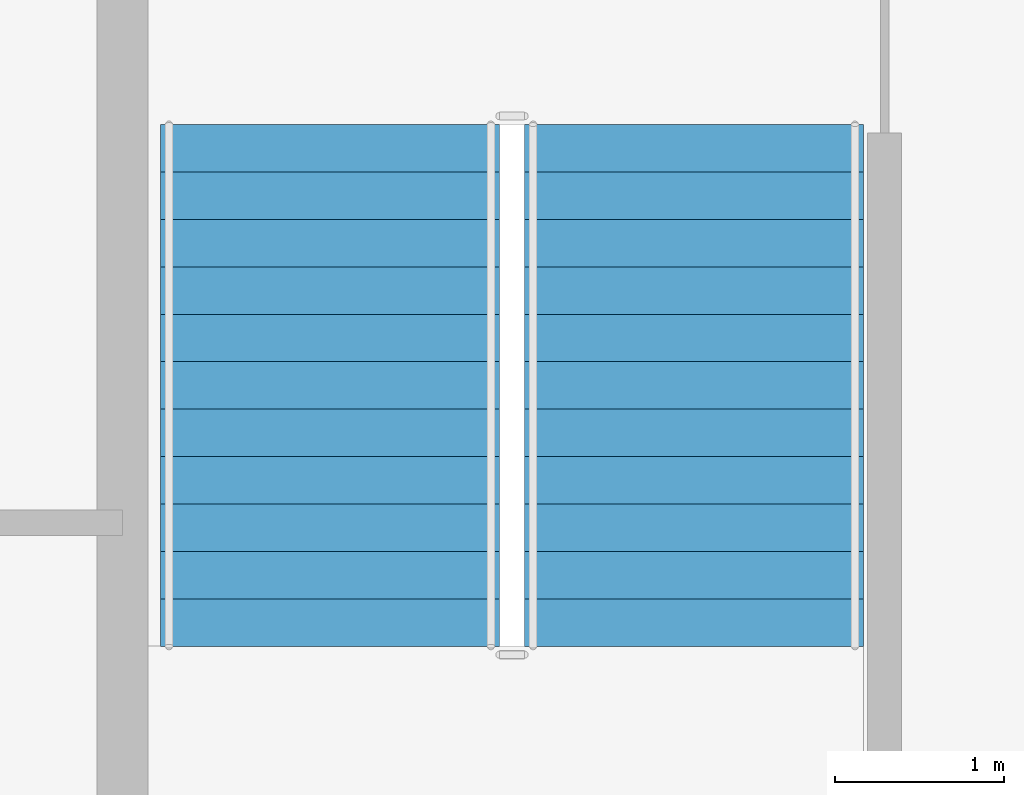
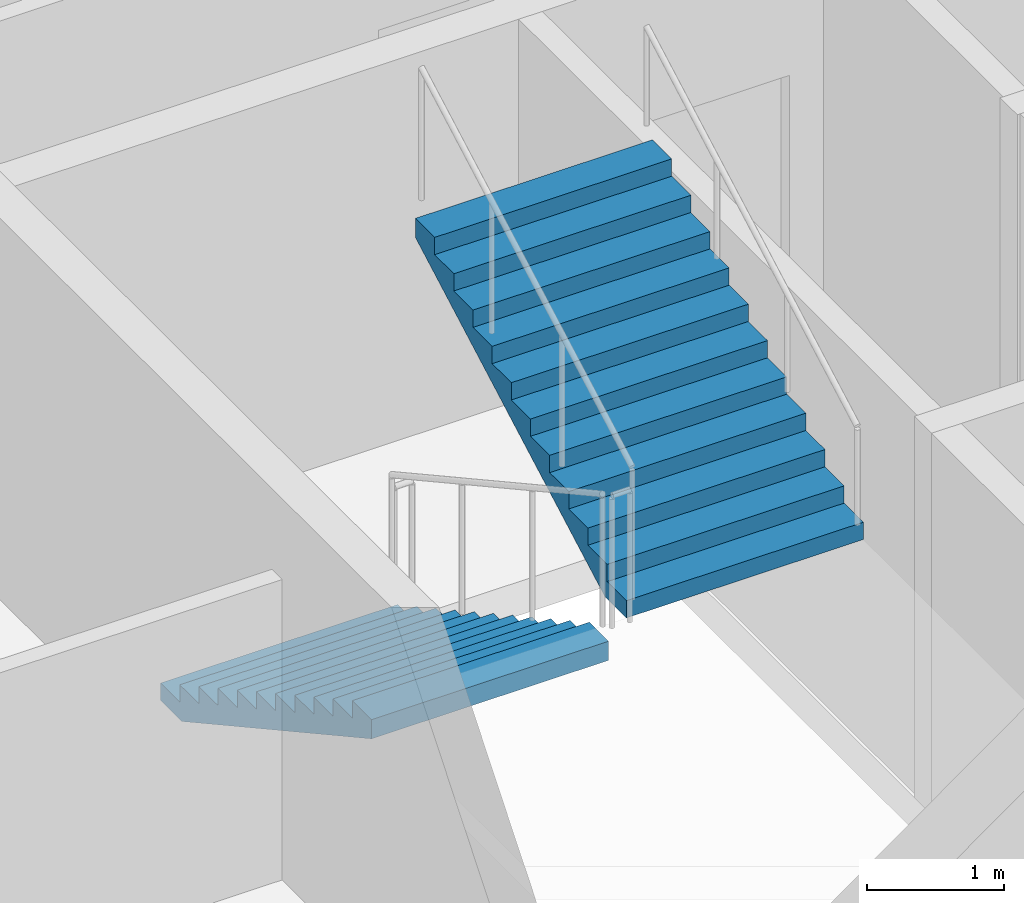
# One storey, part 7 of 11: 2 stair flights, 1 element without a shape of its own.
"""IFC4 building model written with IfcOpenShell, lengths in metres."""

from ifc_helpers import new_model, si_unit, direction, frame, origin, place, context, subcontext, project, spatial, polygons, material, type_object, element, aggregate, save


model = new_model("IFC4")

# Units and contexts
model_context = context("Model", 3, precision=1e-05, world=origin(), true_north=direction((0.0, 1.0)))
body_context = subcontext(model_context, "Body", "Model", "MODEL_VIEW")
ifc_project = project(units=[si_unit("LENGTHUNIT", "METRE"), si_unit("AREAUNIT", "SQUARE_METRE"), si_unit("VOLUMEUNIT", "CUBIC_METRE"), si_unit("PLANEANGLEUNIT", "RADIAN"), si_unit("MASSUNIT", "GRAM", prefix="KILO")], contexts=[model_context])

# Site, building, storey
site_placement = place(None, origin())
site = spatial("IfcSite", under=ifc_project, at=site_placement, CompositionType="ELEMENT")
building_placement = place(site_placement, origin())
building = spatial("IfcBuilding", under=site, at=building_placement, Name="Caravel Reach Hotel and Residences", CompositionType="ELEMENT")
storey_placement = place(building_placement, frame((0.0, 0.0, 271.199951171875)))
storey = spatial("IfcBuildingStorey", under=building, at=storey_placement, Name="L69", CompositionType="ELEMENT", Elevation=271.199951171875)

# Stair, stair flights
ifc_material_1 = material(Name="Concrete C40", Category="concrete")
stair_type = type_object("IfcStairType", Name="Core stair", PredefinedType="HALF_TURN_STAIR", material=ifc_material_1)
stair_placement = place(storey_placement, origin())
stair = element("IfcStair", 1, at=stair_placement, inside=storey, type_object=stair_type, Name="L69 Exit stair A", PredefinedType="HALF_TURN_STAIR")
ifc_material_2 = material(Name="Concrete C40", Category="concrete")
stair_flight_type = type_object("IfcStairFlightType", Name="Core stair flight", PredefinedType="STRAIGHT", material=ifc_material_2)
stair_flight_1_placement = place(storey_placement, frame((19.22509765625, 29.35009765625, 0.0), z_axis=(0.0, 0.0, 1.0), x_axis=(0.0, -1.0, 0.0)))
stair_flight_1 = element("IfcStairFlight", 2, at=stair_flight_1_placement, type_object=stair_flight_type, Name="ST-A flight 1", NumberOfRisers=12, NumberOfTreads=11, PredefinedType="STRAIGHT", RiserHeight=0.154166667, TreadLength=0.28, context=body_context, shape_type="Tessellation", body=[
    polygons([(0.3107950034306102, 1.0, 0.0), (0.3107950034306102, 0.6666666666666667, 0.0), (0.3107950034306102, 0.33333333333333337, 0.0), (0.3107950034306102, 0.0, 0.0), (0.3107950034306102, -0.33333333333333326, 0.0), (0.3107950034306102, -0.6666666666666667, 0.0), (0.3107950034306102, -1.0, 0.0), (3.081, 1.0, 1.524711087717319), (3.081, 0.6666666666666667, 1.524711087717319), (3.081, 0.33333333333333337, 1.524711087717319), (3.081, 0.0, 1.524711087717319), (3.081, -0.33333333333333326, 1.524711087717319), (3.081, -0.6666666666666667, 1.524711087717319), (3.081, -1.0, 1.524711087717319), (3.081, 1.0, 1.695833337), (3.081, 0.6666666666666667, 1.695833337), (3.081, 0.33333333333333337, 1.695833337), (3.081, 0.0, 1.695833337), (3.081, -0.33333333333333326, 1.695833337), (3.081, -0.6666666666666667, 1.695833337), (3.081, -1.0, 1.695833337), (2.8000000000000003, 1.0, 1.695833337), (2.8000000000000003, 0.6666666666666667, 1.695833337), (2.8000000000000003, 0.33333333333333337, 1.695833337), (2.8000000000000003, 0.0, 1.695833337), (2.8000000000000003, -0.33333333333333326, 1.695833337), (2.8000000000000003, -0.6666666666666667, 1.695833337), (2.8000000000000003, -1.0, 1.695833337), (2.8000000000000003, 1.0, 1.5416666700000001), (2.8000000000000003, 0.6666666666666667, 1.5416666700000001), (2.8000000000000003, 0.33333333333333337, 1.5416666700000001), (2.8000000000000003, 0.0, 1.5416666700000001), (2.8000000000000003, -0.33333333333333326, 1.5416666700000001), (2.8000000000000003, -0.6666666666666667, 1.5416666700000001), (2.8000000000000003, -1.0, 1.5416666700000001), (2.5200000000000005, 1.0, 1.5416666700000001), (2.5200000000000005, 0.6666666666666667, 1.5416666700000001), (2.5200000000000005, 0.33333333333333337, 1.5416666700000001), (2.5200000000000005, 0.0, 1.5416666700000001), (2.5200000000000005, -0.33333333333333326, 1.5416666700000001), (2.5200000000000005, -0.6666666666666667, 1.5416666700000001), (2.5200000000000005, -1.0, 1.5416666700000001), (2.5200000000000005, 1.0, 1.387500003), (2.5200000000000005, 0.6666666666666667, 1.387500003), (2.5200000000000005, 0.33333333333333337, 1.387500003), (2.5200000000000005, 0.0, 1.387500003), (2.5200000000000005, -0.33333333333333326, 1.387500003), (2.5200000000000005, -0.6666666666666667, 1.387500003), (2.5200000000000005, -1.0, 1.387500003), (2.24, 1.0, 1.387500003), (2.24, 0.6666666666666667, 1.387500003), (2.24, 0.33333333333333337, 1.387500003), (2.24, 0.0, 1.387500003), (2.24, -0.33333333333333326, 1.387500003), (2.24, -0.6666666666666667, 1.387500003), (2.24, -1.0, 1.387500003), (2.24, 1.0, 1.233333336), (2.24, 0.6666666666666667, 1.233333336), (2.24, 0.33333333333333337, 1.233333336), (2.24, 0.0, 1.233333336), (2.24, -0.33333333333333326, 1.233333336), (2.24, -0.6666666666666667, 1.233333336), (2.24, -1.0, 1.233333336), (1.9600000000000002, 1.0, 1.233333336), (1.9600000000000002, 0.6666666666666667, 1.233333336), (1.9600000000000002, 0.33333333333333337, 1.233333336), (1.9600000000000002, 0.0, 1.233333336), (1.9600000000000002, -0.33333333333333326, 1.233333336), (1.9600000000000002, -0.6666666666666667, 1.233333336), (1.9600000000000002, -1.0, 1.233333336), (1.9600000000000002, 1.0, 1.0791666690000001), (1.9600000000000002, 0.6666666666666667, 1.0791666690000001), (1.9600000000000002, 0.33333333333333337, 1.0791666690000001), (1.9600000000000002, 0.0, 1.0791666690000001), (1.9600000000000002, -0.33333333333333326, 1.0791666690000001), (1.9600000000000002, -0.6666666666666667, 1.0791666690000001), (1.9600000000000002, -1.0, 1.0791666690000001), (1.6800000000000002, 1.0, 1.0791666690000001), (1.6800000000000002, 0.6666666666666667, 1.0791666690000001), (1.6800000000000002, 0.33333333333333337, 1.0791666690000001), (1.6800000000000002, 0.0, 1.0791666690000001), (1.6800000000000002, -0.33333333333333326, 1.0791666690000001), (1.6800000000000002, -0.6666666666666667, 1.0791666690000001), (1.6800000000000002, -1.0, 1.0791666690000001), (1.6800000000000002, 1.0, 0.925000002), (1.6800000000000002, 0.6666666666666667, 0.925000002), (1.6800000000000002, 0.33333333333333337, 0.925000002), (1.6800000000000002, 0.0, 0.925000002), (1.6800000000000002, -0.33333333333333326, 0.925000002), (1.6800000000000002, -0.6666666666666667, 0.925000002), (1.6800000000000002, -1.0, 0.925000002), (1.4000000000000001, 1.0, 0.925000002), (1.4000000000000001, 0.6666666666666667, 0.925000002), (1.4000000000000001, 0.33333333333333337, 0.925000002), (1.4000000000000001, 0.0, 0.925000002), (1.4000000000000001, -0.33333333333333326, 0.925000002), (1.4000000000000001, -0.6666666666666667, 0.925000002), (1.4000000000000001, -1.0, 0.925000002), (1.4000000000000001, 1.0, 0.7708333350000001), (1.4000000000000001, 0.6666666666666667, 0.7708333350000001), (1.4000000000000001, 0.33333333333333337, 0.7708333350000001), (1.4000000000000001, 0.0, 0.7708333350000001), (1.4000000000000001, -0.33333333333333326, 0.7708333350000001), (1.4000000000000001, -0.6666666666666667, 0.7708333350000001), (1.4000000000000001, -1.0, 0.7708333350000001), (1.12, 1.0, 0.7708333350000001), (1.12, 0.6666666666666667, 0.7708333350000001), (1.12, 0.33333333333333337, 0.7708333350000001), (1.12, 0.0, 0.7708333350000001), (1.12, -0.33333333333333326, 0.7708333350000001), (1.12, -0.6666666666666667, 0.7708333350000001), (1.12, -1.0, 0.7708333350000001), (1.12, 1.0, 0.616666668), (1.12, 0.6666666666666667, 0.616666668), (1.12, 0.33333333333333337, 0.616666668), (1.12, 0.0, 0.616666668), (1.12, -0.33333333333333326, 0.616666668), (1.12, -0.6666666666666667, 0.616666668), (1.12, -1.0, 0.616666668), (0.8400000000000001, 1.0, 0.616666668), (0.8400000000000001, 0.6666666666666667, 0.616666668), (0.8400000000000001, 0.33333333333333337, 0.616666668), (0.8400000000000001, 0.0, 0.616666668), (0.8400000000000001, -0.33333333333333326, 0.616666668), (0.8400000000000001, -0.6666666666666667, 0.616666668), (0.8400000000000001, -1.0, 0.616666668), (0.8400000000000001, 1.0, 0.462500001), (0.8400000000000001, 0.6666666666666667, 0.462500001), (0.8400000000000001, 0.33333333333333337, 0.462500001), (0.8400000000000001, 0.0, 0.462500001), (0.8400000000000001, -0.33333333333333326, 0.462500001), (0.8400000000000001, -0.6666666666666667, 0.462500001), (0.8400000000000001, -1.0, 0.462500001), (0.56, 1.0, 0.462500001), (0.56, 0.6666666666666667, 0.462500001), (0.56, 0.33333333333333337, 0.462500001), (0.56, 0.0, 0.462500001), (0.56, -0.33333333333333326, 0.462500001), (0.56, -0.6666666666666667, 0.462500001), (0.56, -1.0, 0.462500001), (0.56, 1.0, 0.308333334), (0.56, 0.6666666666666667, 0.308333334), (0.56, 0.33333333333333337, 0.308333334), (0.56, 0.0, 0.308333334), (0.56, -0.33333333333333326, 0.308333334), (0.56, -0.6666666666666667, 0.308333334), (0.56, -1.0, 0.308333334), (0.28, 1.0, 0.308333334), (0.28, 0.6666666666666667, 0.308333334), (0.28, 0.33333333333333337, 0.308333334), (0.28, 0.0, 0.308333334), (0.28, -0.33333333333333326, 0.308333334), (0.28, -0.6666666666666667, 0.308333334), (0.28, -1.0, 0.308333334), (0.28, 1.0, 0.154166667), (0.28, 0.6666666666666667, 0.154166667), (0.28, 0.33333333333333337, 0.154166667), (0.28, 0.0, 0.154166667), (0.28, -0.33333333333333326, 0.154166667), (0.28, -0.6666666666666667, 0.154166667), (0.28, -1.0, 0.154166667), (-0.001, 1.0, 0.154166667), (-0.001, 0.6666666666666667, 0.154166667), (-0.001, 0.33333333333333337, 0.154166667), (-0.001, 0.0, 0.154166667), (-0.001, -0.33333333333333326, 0.154166667), (-0.001, -0.6666666666666667, 0.154166667), (-0.001, -1.0, 0.154166667), (-0.001, 1.0, 0.0), (-0.001, 0.6666666666666667, 0.0), (-0.001, 0.33333333333333337, 0.0), (-0.001, 0.0, 0.0), (-0.001, -0.33333333333333326, 0.0), (-0.001, -0.6666666666666667, 0.0), (-0.001, -1.0, 0.0)], [[[169, 162, 155, 148, 141, 134, 127, 120, 113, 106, 99, 92, 85, 78, 71, 64, 57, 50, 43, 36, 29, 22, 15, 8, 1]], [[7, 14, 21, 28, 35, 42, 49, 56, 63, 70, 77, 84, 91, 98, 105, 112, 119, 126, 133, 140, 147, 154, 161, 168, 175]], [[1, 8, 9, 2]], [[2, 9, 10, 3]], [[3, 10, 11, 4]], [[4, 11, 12, 5]], [[5, 12, 13, 6]], [[6, 13, 14, 7]], [[8, 15, 16, 9]], [[9, 16, 17, 10]], [[10, 17, 18, 11]], [[11, 18, 19, 12]], [[12, 19, 20, 13]], [[13, 20, 21, 14]], [[15, 22, 23, 16]], [[16, 23, 24, 17]], [[17, 24, 25, 18]], [[18, 25, 26, 19]], [[19, 26, 27, 20]], [[20, 27, 28, 21]], [[22, 29, 30, 23]], [[23, 30, 31, 24]], [[24, 31, 32, 25]], [[25, 32, 33, 26]], [[26, 33, 34, 27]], [[27, 34, 35, 28]], [[29, 36, 37, 30]], [[30, 37, 38, 31]], [[31, 38, 39, 32]], [[32, 39, 40, 33]], [[33, 40, 41, 34]], [[34, 41, 42, 35]], [[36, 43, 44, 37]], [[37, 44, 45, 38]], [[38, 45, 46, 39]], [[39, 46, 47, 40]], [[40, 47, 48, 41]], [[41, 48, 49, 42]], [[43, 50, 51, 44]], [[44, 51, 52, 45]], [[45, 52, 53, 46]], [[46, 53, 54, 47]], [[47, 54, 55, 48]], [[48, 55, 56, 49]], [[50, 57, 58, 51]], [[51, 58, 59, 52]], [[52, 59, 60, 53]], [[53, 60, 61, 54]], [[54, 61, 62, 55]], [[55, 62, 63, 56]], [[57, 64, 65, 58]], [[58, 65, 66, 59]], [[59, 66, 67, 60]], [[60, 67, 68, 61]], [[61, 68, 69, 62]], [[62, 69, 70, 63]], [[64, 71, 72, 65]], [[65, 72, 73, 66]], [[66, 73, 74, 67]], [[67, 74, 75, 68]], [[68, 75, 76, 69]], [[69, 76, 77, 70]], [[71, 78, 79, 72]], [[72, 79, 80, 73]], [[73, 80, 81, 74]], [[74, 81, 82, 75]], [[75, 82, 83, 76]], [[76, 83, 84, 77]], [[78, 85, 86, 79]], [[79, 86, 87, 80]], [[80, 87, 88, 81]], [[81, 88, 89, 82]], [[82, 89, 90, 83]], [[83, 90, 91, 84]], [[85, 92, 93, 86]], [[86, 93, 94, 87]], [[87, 94, 95, 88]], [[88, 95, 96, 89]], [[89, 96, 97, 90]], [[90, 97, 98, 91]], [[92, 99, 100, 93]], [[93, 100, 101, 94]], [[94, 101, 102, 95]], [[95, 102, 103, 96]], [[96, 103, 104, 97]], [[97, 104, 105, 98]], [[99, 106, 107, 100]], [[100, 107, 108, 101]], [[101, 108, 109, 102]], [[102, 109, 110, 103]], [[103, 110, 111, 104]], [[104, 111, 112, 105]], [[106, 113, 114, 107]], [[107, 114, 115, 108]], [[108, 115, 116, 109]], [[109, 116, 117, 110]], [[110, 117, 118, 111]], [[111, 118, 119, 112]], [[113, 120, 121, 114]], [[114, 121, 122, 115]], [[115, 122, 123, 116]], [[116, 123, 124, 117]], [[117, 124, 125, 118]], [[118, 125, 126, 119]], [[120, 127, 128, 121]], [[121, 128, 129, 122]], [[122, 129, 130, 123]], [[123, 130, 131, 124]], [[124, 131, 132, 125]], [[125, 132, 133, 126]], [[127, 134, 135, 128]], [[128, 135, 136, 129]], [[129, 136, 137, 130]], [[130, 137, 138, 131]], [[131, 138, 139, 132]], [[132, 139, 140, 133]], [[134, 141, 142, 135]], [[135, 142, 143, 136]], [[136, 143, 144, 137]], [[137, 144, 145, 138]], [[138, 145, 146, 139]], [[139, 146, 147, 140]], [[141, 148, 149, 142]], [[142, 149, 150, 143]], [[143, 150, 151, 144]], [[144, 151, 152, 145]], [[145, 152, 153, 146]], [[146, 153, 154, 147]], [[148, 155, 156, 149]], [[149, 156, 157, 150]], [[150, 157, 158, 151]], [[151, 158, 159, 152]], [[152, 159, 160, 153]], [[153, 160, 161, 154]], [[155, 162, 163, 156]], [[156, 163, 164, 157]], [[157, 164, 165, 158]], [[158, 165, 166, 159]], [[159, 166, 167, 160]], [[160, 167, 168, 161]], [[162, 169, 170, 163]], [[163, 170, 171, 164]], [[164, 171, 172, 165]], [[165, 172, 173, 166]], [[166, 173, 174, 167]], [[167, 174, 175, 168]], [[169, 1, 2, 170]], [[170, 2, 3, 171]], [[171, 3, 4, 172]], [[172, 4, 5, 173]], [[173, 5, 6, 174]], [[174, 6, 7, 175]]], closed=True),
])
stair_flight_2_placement = place(storey_placement, frame((21.375, 26.27001953125, 1.85009765625), z_axis=(0.0, 0.0, 1.0), x_axis=(0.0, 1.0, 0.0)))
stair_flight_2 = element("IfcStairFlight", 3, at=stair_flight_2_placement, type_object=stair_flight_type, Name="ST-A flight 2", NumberOfRisers=12, NumberOfTreads=11, PredefinedType="STRAIGHT", RiserHeight=0.154166667, TreadLength=0.28, context=body_context, shape_type="Tessellation", body=[
    polygons([(0.3107950034306102, 1.0, 0.0), (0.3107950034306102, 0.6666666666666667, 0.0), (0.3107950034306102, 0.33333333333333337, 0.0), (0.3107950034306102, 0.0, 0.0), (0.3107950034306102, -0.33333333333333326, 0.0), (0.3107950034306102, -0.6666666666666667, 0.0), (0.3107950034306102, -1.0, 0.0), (3.081, 1.0, 1.524711087717319), (3.081, 0.6666666666666667, 1.524711087717319), (3.081, 0.33333333333333337, 1.524711087717319), (3.081, 0.0, 1.524711087717319), (3.081, -0.33333333333333326, 1.524711087717319), (3.081, -0.6666666666666667, 1.524711087717319), (3.081, -1.0, 1.524711087717319), (3.081, 1.0, 1.695833337), (3.081, 0.6666666666666667, 1.695833337), (3.081, 0.33333333333333337, 1.695833337), (3.081, 0.0, 1.695833337), (3.081, -0.33333333333333326, 1.695833337), (3.081, -0.6666666666666667, 1.695833337), (3.081, -1.0, 1.695833337), (2.8000000000000003, 1.0, 1.695833337), (2.8000000000000003, 0.6666666666666667, 1.695833337), (2.8000000000000003, 0.33333333333333337, 1.695833337), (2.8000000000000003, 0.0, 1.695833337), (2.8000000000000003, -0.33333333333333326, 1.695833337), (2.8000000000000003, -0.6666666666666667, 1.695833337), (2.8000000000000003, -1.0, 1.695833337), (2.8000000000000003, 1.0, 1.5416666700000001), (2.8000000000000003, 0.6666666666666667, 1.5416666700000001), (2.8000000000000003, 0.33333333333333337, 1.5416666700000001), (2.8000000000000003, 0.0, 1.5416666700000001), (2.8000000000000003, -0.33333333333333326, 1.5416666700000001), (2.8000000000000003, -0.6666666666666667, 1.5416666700000001), (2.8000000000000003, -1.0, 1.5416666700000001), (2.5200000000000005, 1.0, 1.5416666700000001), (2.5200000000000005, 0.6666666666666667, 1.5416666700000001), (2.5200000000000005, 0.33333333333333337, 1.5416666700000001), (2.5200000000000005, 0.0, 1.5416666700000001), (2.5200000000000005, -0.33333333333333326, 1.5416666700000001), (2.5200000000000005, -0.6666666666666667, 1.5416666700000001), (2.5200000000000005, -1.0, 1.5416666700000001), (2.5200000000000005, 1.0, 1.387500003), (2.5200000000000005, 0.6666666666666667, 1.387500003), (2.5200000000000005, 0.33333333333333337, 1.387500003), (2.5200000000000005, 0.0, 1.387500003), (2.5200000000000005, -0.33333333333333326, 1.387500003), (2.5200000000000005, -0.6666666666666667, 1.387500003), (2.5200000000000005, -1.0, 1.387500003), (2.24, 1.0, 1.387500003), (2.24, 0.6666666666666667, 1.387500003), (2.24, 0.33333333333333337, 1.387500003), (2.24, 0.0, 1.387500003), (2.24, -0.33333333333333326, 1.387500003), (2.24, -0.6666666666666667, 1.387500003), (2.24, -1.0, 1.387500003), (2.24, 1.0, 1.233333336), (2.24, 0.6666666666666667, 1.233333336), (2.24, 0.33333333333333337, 1.233333336), (2.24, 0.0, 1.233333336), (2.24, -0.33333333333333326, 1.233333336), (2.24, -0.6666666666666667, 1.233333336), (2.24, -1.0, 1.233333336), (1.9600000000000002, 1.0, 1.233333336), (1.9600000000000002, 0.6666666666666667, 1.233333336), (1.9600000000000002, 0.33333333333333337, 1.233333336), (1.9600000000000002, 0.0, 1.233333336), (1.9600000000000002, -0.33333333333333326, 1.233333336), (1.9600000000000002, -0.6666666666666667, 1.233333336), (1.9600000000000002, -1.0, 1.233333336), (1.9600000000000002, 1.0, 1.0791666690000001), (1.9600000000000002, 0.6666666666666667, 1.0791666690000001), (1.9600000000000002, 0.33333333333333337, 1.0791666690000001), (1.9600000000000002, 0.0, 1.0791666690000001), (1.9600000000000002, -0.33333333333333326, 1.0791666690000001), (1.9600000000000002, -0.6666666666666667, 1.0791666690000001), (1.9600000000000002, -1.0, 1.0791666690000001), (1.6800000000000002, 1.0, 1.0791666690000001), (1.6800000000000002, 0.6666666666666667, 1.0791666690000001), (1.6800000000000002, 0.33333333333333337, 1.0791666690000001), (1.6800000000000002, 0.0, 1.0791666690000001), (1.6800000000000002, -0.33333333333333326, 1.0791666690000001), (1.6800000000000002, -0.6666666666666667, 1.0791666690000001), (1.6800000000000002, -1.0, 1.0791666690000001), (1.6800000000000002, 1.0, 0.925000002), (1.6800000000000002, 0.6666666666666667, 0.925000002), (1.6800000000000002, 0.33333333333333337, 0.925000002), (1.6800000000000002, 0.0, 0.925000002), (1.6800000000000002, -0.33333333333333326, 0.925000002), (1.6800000000000002, -0.6666666666666667, 0.925000002), (1.6800000000000002, -1.0, 0.925000002), (1.4000000000000001, 1.0, 0.925000002), (1.4000000000000001, 0.6666666666666667, 0.925000002), (1.4000000000000001, 0.33333333333333337, 0.925000002), (1.4000000000000001, 0.0, 0.925000002), (1.4000000000000001, -0.33333333333333326, 0.925000002), (1.4000000000000001, -0.6666666666666667, 0.925000002), (1.4000000000000001, -1.0, 0.925000002), (1.4000000000000001, 1.0, 0.7708333350000001), (1.4000000000000001, 0.6666666666666667, 0.7708333350000001), (1.4000000000000001, 0.33333333333333337, 0.7708333350000001), (1.4000000000000001, 0.0, 0.7708333350000001), (1.4000000000000001, -0.33333333333333326, 0.7708333350000001), (1.4000000000000001, -0.6666666666666667, 0.7708333350000001), (1.4000000000000001, -1.0, 0.7708333350000001), (1.12, 1.0, 0.7708333350000001), (1.12, 0.6666666666666667, 0.7708333350000001), (1.12, 0.33333333333333337, 0.7708333350000001), (1.12, 0.0, 0.7708333350000001), (1.12, -0.33333333333333326, 0.7708333350000001), (1.12, -0.6666666666666667, 0.7708333350000001), (1.12, -1.0, 0.7708333350000001), (1.12, 1.0, 0.616666668), (1.12, 0.6666666666666667, 0.616666668), (1.12, 0.33333333333333337, 0.616666668), (1.12, 0.0, 0.616666668), (1.12, -0.33333333333333326, 0.616666668), (1.12, -0.6666666666666667, 0.616666668), (1.12, -1.0, 0.616666668), (0.8400000000000001, 1.0, 0.616666668), (0.8400000000000001, 0.6666666666666667, 0.616666668), (0.8400000000000001, 0.33333333333333337, 0.616666668), (0.8400000000000001, 0.0, 0.616666668), (0.8400000000000001, -0.33333333333333326, 0.616666668), (0.8400000000000001, -0.6666666666666667, 0.616666668), (0.8400000000000001, -1.0, 0.616666668), (0.8400000000000001, 1.0, 0.462500001), (0.8400000000000001, 0.6666666666666667, 0.462500001), (0.8400000000000001, 0.33333333333333337, 0.462500001), (0.8400000000000001, 0.0, 0.462500001), (0.8400000000000001, -0.33333333333333326, 0.462500001), (0.8400000000000001, -0.6666666666666667, 0.462500001), (0.8400000000000001, -1.0, 0.462500001), (0.56, 1.0, 0.462500001), (0.56, 0.6666666666666667, 0.462500001), (0.56, 0.33333333333333337, 0.462500001), (0.56, 0.0, 0.462500001), (0.56, -0.33333333333333326, 0.462500001), (0.56, -0.6666666666666667, 0.462500001), (0.56, -1.0, 0.462500001), (0.56, 1.0, 0.308333334), (0.56, 0.6666666666666667, 0.308333334), (0.56, 0.33333333333333337, 0.308333334), (0.56, 0.0, 0.308333334), (0.56, -0.33333333333333326, 0.308333334), (0.56, -0.6666666666666667, 0.308333334), (0.56, -1.0, 0.308333334), (0.28, 1.0, 0.308333334), (0.28, 0.6666666666666667, 0.308333334), (0.28, 0.33333333333333337, 0.308333334), (0.28, 0.0, 0.308333334), (0.28, -0.33333333333333326, 0.308333334), (0.28, -0.6666666666666667, 0.308333334), (0.28, -1.0, 0.308333334), (0.28, 1.0, 0.154166667), (0.28, 0.6666666666666667, 0.154166667), (0.28, 0.33333333333333337, 0.154166667), (0.28, 0.0, 0.154166667), (0.28, -0.33333333333333326, 0.154166667), (0.28, -0.6666666666666667, 0.154166667), (0.28, -1.0, 0.154166667), (-0.001, 1.0, 0.154166667), (-0.001, 0.6666666666666667, 0.154166667), (-0.001, 0.33333333333333337, 0.154166667), (-0.001, 0.0, 0.154166667), (-0.001, -0.33333333333333326, 0.154166667), (-0.001, -0.6666666666666667, 0.154166667), (-0.001, -1.0, 0.154166667), (-0.001, 1.0, 0.0), (-0.001, 0.6666666666666667, 0.0), (-0.001, 0.33333333333333337, 0.0), (-0.001, 0.0, 0.0), (-0.001, -0.33333333333333326, 0.0), (-0.001, -0.6666666666666667, 0.0), (-0.001, -1.0, 0.0)], [[[169, 162, 155, 148, 141, 134, 127, 120, 113, 106, 99, 92, 85, 78, 71, 64, 57, 50, 43, 36, 29, 22, 15, 8, 1]], [[7, 14, 21, 28, 35, 42, 49, 56, 63, 70, 77, 84, 91, 98, 105, 112, 119, 126, 133, 140, 147, 154, 161, 168, 175]], [[1, 8, 9, 2]], [[2, 9, 10, 3]], [[3, 10, 11, 4]], [[4, 11, 12, 5]], [[5, 12, 13, 6]], [[6, 13, 14, 7]], [[8, 15, 16, 9]], [[9, 16, 17, 10]], [[10, 17, 18, 11]], [[11, 18, 19, 12]], [[12, 19, 20, 13]], [[13, 20, 21, 14]], [[15, 22, 23, 16]], [[16, 23, 24, 17]], [[17, 24, 25, 18]], [[18, 25, 26, 19]], [[19, 26, 27, 20]], [[20, 27, 28, 21]], [[22, 29, 30, 23]], [[23, 30, 31, 24]], [[24, 31, 32, 25]], [[25, 32, 33, 26]], [[26, 33, 34, 27]], [[27, 34, 35, 28]], [[29, 36, 37, 30]], [[30, 37, 38, 31]], [[31, 38, 39, 32]], [[32, 39, 40, 33]], [[33, 40, 41, 34]], [[34, 41, 42, 35]], [[36, 43, 44, 37]], [[37, 44, 45, 38]], [[38, 45, 46, 39]], [[39, 46, 47, 40]], [[40, 47, 48, 41]], [[41, 48, 49, 42]], [[43, 50, 51, 44]], [[44, 51, 52, 45]], [[45, 52, 53, 46]], [[46, 53, 54, 47]], [[47, 54, 55, 48]], [[48, 55, 56, 49]], [[50, 57, 58, 51]], [[51, 58, 59, 52]], [[52, 59, 60, 53]], [[53, 60, 61, 54]], [[54, 61, 62, 55]], [[55, 62, 63, 56]], [[57, 64, 65, 58]], [[58, 65, 66, 59]], [[59, 66, 67, 60]], [[60, 67, 68, 61]], [[61, 68, 69, 62]], [[62, 69, 70, 63]], [[64, 71, 72, 65]], [[65, 72, 73, 66]], [[66, 73, 74, 67]], [[67, 74, 75, 68]], [[68, 75, 76, 69]], [[69, 76, 77, 70]], [[71, 78, 79, 72]], [[72, 79, 80, 73]], [[73, 80, 81, 74]], [[74, 81, 82, 75]], [[75, 82, 83, 76]], [[76, 83, 84, 77]], [[78, 85, 86, 79]], [[79, 86, 87, 80]], [[80, 87, 88, 81]], [[81, 88, 89, 82]], [[82, 89, 90, 83]], [[83, 90, 91, 84]], [[85, 92, 93, 86]], [[86, 93, 94, 87]], [[87, 94, 95, 88]], [[88, 95, 96, 89]], [[89, 96, 97, 90]], [[90, 97, 98, 91]], [[92, 99, 100, 93]], [[93, 100, 101, 94]], [[94, 101, 102, 95]], [[95, 102, 103, 96]], [[96, 103, 104, 97]], [[97, 104, 105, 98]], [[99, 106, 107, 100]], [[100, 107, 108, 101]], [[101, 108, 109, 102]], [[102, 109, 110, 103]], [[103, 110, 111, 104]], [[104, 111, 112, 105]], [[106, 113, 114, 107]], [[107, 114, 115, 108]], [[108, 115, 116, 109]], [[109, 116, 117, 110]], [[110, 117, 118, 111]], [[111, 118, 119, 112]], [[113, 120, 121, 114]], [[114, 121, 122, 115]], [[115, 122, 123, 116]], [[116, 123, 124, 117]], [[117, 124, 125, 118]], [[118, 125, 126, 119]], [[120, 127, 128, 121]], [[121, 128, 129, 122]], [[122, 129, 130, 123]], [[123, 130, 131, 124]], [[124, 131, 132, 125]], [[125, 132, 133, 126]], [[127, 134, 135, 128]], [[128, 135, 136, 129]], [[129, 136, 137, 130]], [[130, 137, 138, 131]], [[131, 138, 139, 132]], [[132, 139, 140, 133]], [[134, 141, 142, 135]], [[135, 142, 143, 136]], [[136, 143, 144, 137]], [[137, 144, 145, 138]], [[138, 145, 146, 139]], [[139, 146, 147, 140]], [[141, 148, 149, 142]], [[142, 149, 150, 143]], [[143, 150, 151, 144]], [[144, 151, 152, 145]], [[145, 152, 153, 146]], [[146, 153, 154, 147]], [[148, 155, 156, 149]], [[149, 156, 157, 150]], [[150, 157, 158, 151]], [[151, 158, 159, 152]], [[152, 159, 160, 153]], [[153, 160, 161, 154]], [[155, 162, 163, 156]], [[156, 163, 164, 157]], [[157, 164, 165, 158]], [[158, 165, 166, 159]], [[159, 166, 167, 160]], [[160, 167, 168, 161]], [[162, 169, 170, 163]], [[163, 170, 171, 164]], [[164, 171, 172, 165]], [[165, 172, 173, 166]], [[166, 173, 174, 167]], [[167, 174, 175, 168]], [[169, 1, 2, 170]], [[170, 2, 3, 171]], [[171, 3, 4, 172]], [[172, 4, 5, 173]], [[173, 5, 6, 174]], [[174, 6, 7, 175]]], closed=True),
])
aggregate(stair, [stair_flight_1, stair_flight_2])

save(model, "model.ifc")
